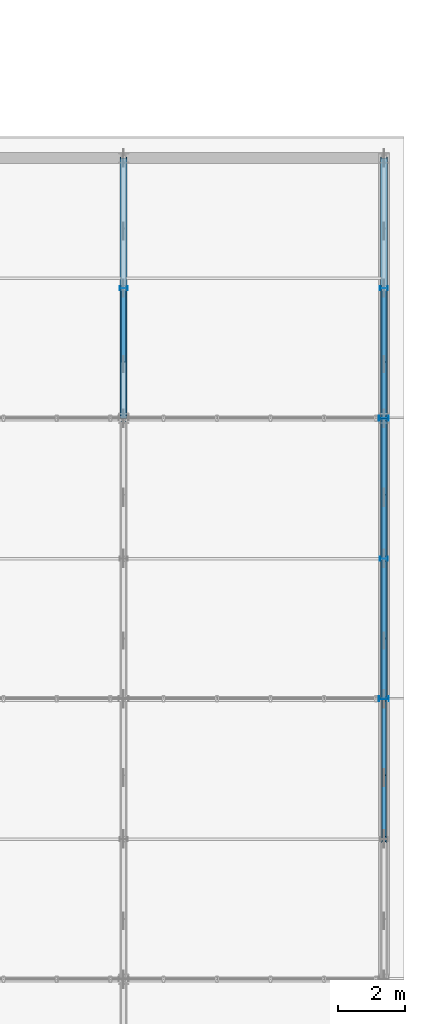
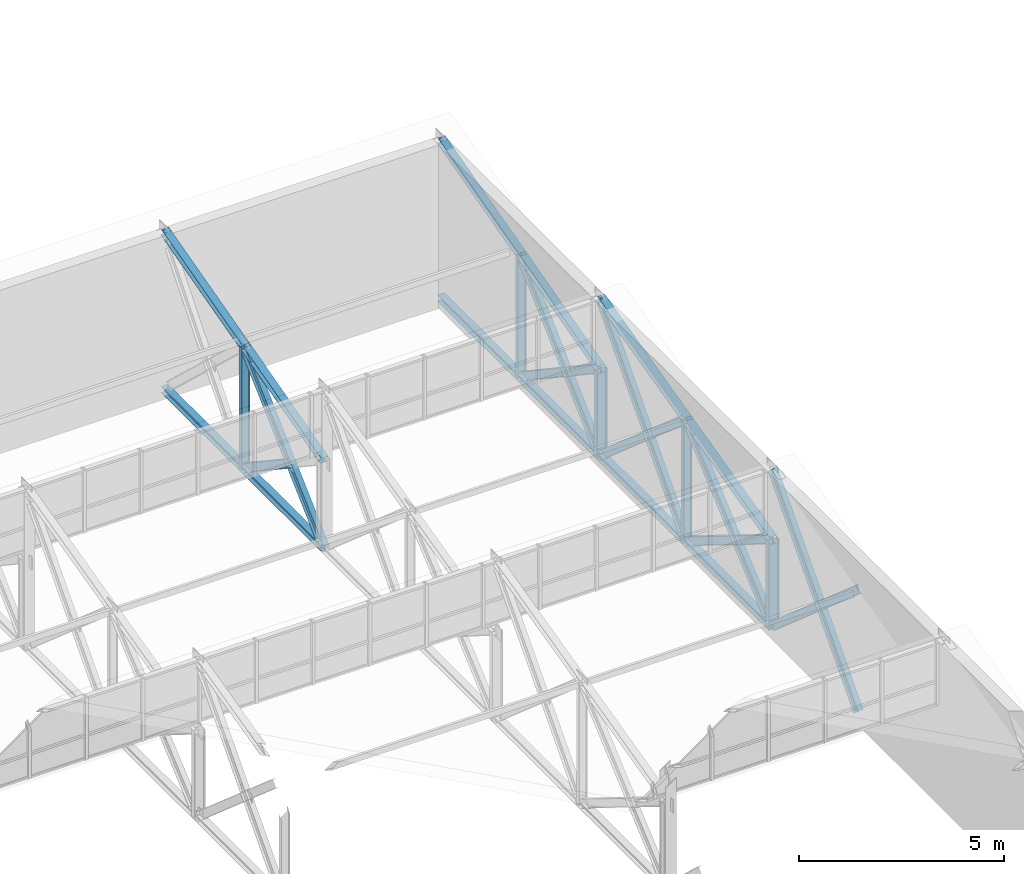
# One storey, part 82 of 123: 25 members.
"""IFC4 building model written with IfcOpenShell, lengths in metres."""

import ifcopenshell
import ifcopenshell.guid

model = None  # the IFC model being written
_history = None  # IfcOwnerHistory: only IFC2X3 demands one
_inside = {}  # id of a spatial element -> (the spatial element, [elements in it])
_under = {}  # id of a project, library or spatial element -> (it, [spatial elements below it])
_declared = {}  # id of a project -> (the project, [libraries it declares])
_typed = {}  # id of a type object -> (the type object, [elements of that type])
_made_of = {}  # id of a material, layer set ... -> (it, [elements and type objects made of it])


def new_model(schema):
    """Start an empty IFC model of exactly this schema.

    Asked for "IFC4X3", IfcOpenShell would pick the latest addendum, in which some entities
    have other attributes; the version numbers below select the first issue.
    IFC2X3 requires an IfcOwnerHistory on every rooted entity: one is made here for all.
    """
    global model, _history
    if schema == "IFC4X3":
        model = ifcopenshell.file(schema_version=(4, 3, 0, 0))
    else:
        model = ifcopenshell.file(schema=schema)
    _inside.clear()
    _under.clear()
    _declared.clear()
    _typed.clear()
    _made_of.clear()
    _history = None
    if model.schema == "IFC2X3":
        org = make("IfcOrganization", Name="unknown")
        user = make(
            "IfcPersonAndOrganization",
            ThePerson=make("IfcPerson", FamilyName="unknown"),
            TheOrganization=org,
        )
        app = make(
            "IfcApplication",
            ApplicationDeveloper=org,
            Version="unknown",
            ApplicationFullName="unknown",
            ApplicationIdentifier="unknown",
        )
        _history = make(
            "IfcOwnerHistory",
            OwningUser=user,
            OwningApplication=app,
            ChangeAction="ADDED",
            CreationDate=0,
        )
    return model


def make(cls, **values):
    """One entity of the class cls with the attributes given. An attribute that is None is left unset."""
    return model.create_entity(
        cls, **{name: value for name, value in values.items() if value is not None}
    )


def rooted(cls, **values):
    """An entity with a GlobalId (a new one), such as an element, a storey or a relation."""
    return make(cls, GlobalId=ifcopenshell.guid.new(), OwnerHistory=_history, **values)


def si_unit(unit_type, name, prefix=None):
    """IfcSIUnit, for example si_unit("LENGTHUNIT", "METRE", prefix="MILLI")."""
    return make("IfcSIUnit", UnitType=unit_type, Prefix=prefix, Name=name)


def assignment(units):
    """IfcUnitAssignment: the units of a project."""
    return None if units is None else make("IfcUnitAssignment", Units=units)


def point(xyz):
    """IfcCartesianPoint."""
    return None if xyz is None else make("IfcCartesianPoint", Coordinates=xyz)


def direction(xyz):
    """IfcDirection."""
    return None if xyz is None else make("IfcDirection", DirectionRatios=xyz)


def frame(location, z_axis=None, x_axis=None):
    """IfcAxis2Placement3D, a coordinate frame: its origin and axes. An axis left out is left unset."""
    return make(
        "IfcAxis2Placement3D",
        Location=point(location),
        Axis=direction(z_axis),
        RefDirection=direction(x_axis),
    )


def frame_2d(location, x_axis=None):
    """IfcAxis2Placement2D, a coordinate frame in the plane: its origin and x axis."""
    return make(
        "IfcAxis2Placement2D", Location=point(location), RefDirection=direction(x_axis)
    )


def origin():
    """The frame at (0, 0, 0) with its axes left unset."""
    return frame((0.0, 0.0, 0.0))


def origin_2d():
    """The frame at (0, 0) in the plane with its x axis left unset."""
    return frame_2d((0.0, 0.0))


def place(relative_to, where):
    """IfcLocalPlacement: puts the frame where relative to a parent placement (None: the world)."""
    return make(
        "IfcLocalPlacement", PlacementRelTo=relative_to, RelativePlacement=where
    )


def context(
    kind, dimensions, precision=None, world=None, true_north=None, identifier=None
):
    """IfcGeometricRepresentationContext, for example the 3D "Model" context."""
    return make(
        "IfcGeometricRepresentationContext",
        ContextIdentifier=identifier,
        ContextType=kind,
        CoordinateSpaceDimension=dimensions,
        Precision=precision,
        WorldCoordinateSystem=world,
        TrueNorth=true_north,
    )


def subcontext(parent, identifier, kind, view, scale=None):
    """IfcGeometricRepresentationSubContext, for example "Body" below "Model"."""
    return make(
        "IfcGeometricRepresentationSubContext",
        ContextIdentifier=identifier,
        ContextType=kind,
        ParentContext=parent,
        TargetScale=scale,
        TargetView=view,
    )


def project(units=None, contexts=None):
    """IfcProject with its units and contexts."""
    return rooted(
        "IfcProject",
        Name="project",
        RepresentationContexts=contexts,
        UnitsInContext=assignment(units),
    )


def spatial(cls, under=None, at=None, **own):
    """A site, building, storey or space (cls), placed at a placement, below another one or the project."""
    s = rooted(cls, ObjectPlacement=at, **own)
    if under is not None:
        _under.setdefault(under.id(), (under, []))[1].append(s)
    return s


def profile(cls, at=None, kind="AREA", **sizes):
    """A parametric profile (cls). Its sizes go by their IFC names, for example OverallWidth=200.0."""
    return make(cls, ProfileType=kind, Position=at, **sizes)


def i_section(**sizes):
    """IfcIShapeProfileDef."""
    return profile("IfcIShapeProfileDef", **sizes)


def extrude(swept, where, along, depth):
    """IfcExtrudedAreaSolid: the profile swept, set in the frame where, extruded along a direction by depth."""
    return make(
        "IfcExtrudedAreaSolid",
        SweptArea=swept,
        Position=where,
        ExtrudedDirection=direction(along),
        Depth=depth,
    )


def shape(context_of_items, identifier, shape_type, items):
    """IfcShapeRepresentation: the items that make up one representation, for example the "Body"."""
    return make(
        "IfcShapeRepresentation",
        ContextOfItems=context_of_items,
        RepresentationIdentifier=identifier,
        RepresentationType=shape_type,
        Items=items,
    )


def material(Name=None, Category=None):
    """IfcMaterial."""
    return make("IfcMaterial", Name=Name, Category=Category)


def material_profile(
    of_material, cross_section, Name=None, Category=None, Priority=None
):
    """IfcMaterialProfile: a cross section and its material."""
    return make(
        "IfcMaterialProfile",
        Name=Name,
        Material=of_material,
        Profile=cross_section,
        Priority=Priority,
        Category=Category,
    )


def profile_set(profiles, Name=None, composite=None):
    """IfcMaterialProfileSet."""
    return make(
        "IfcMaterialProfileSet",
        Name=Name,
        MaterialProfiles=profiles,
        CompositeProfile=composite,
    )


def made_of(thing, what):
    """Note that an element or type object is made of a material, layer set ...; save() writes the relation."""
    if what is not None:
        _made_of.setdefault(what.id(), (what, []))[1].append(thing)
    return thing


def type_object(cls, material=None, **own):
    """A type object (cls), such as IfcWallType, which elements share."""
    return made_of(rooted(cls, **own), material)


def element(
    cls,
    number,
    at=None,
    inside=None,
    cuts=None,
    type_object=None,
    material=None,
    context=None,
    identifier="Body",
    shape_type=None,
    held_by="IfcProductDefinitionShape",
    body=None,
    shapes=None,
    **own,
):
    """One element of the class cls, such as IfcWall. Its Tag is "e" and its number.

    at: its placement. inside: the storey or other place that contains it. cuts: it is an
    opening in that element (IfcRelVoidsElement). A single representation is given by context,
    identifier, shape_type and body (its items); several are given by shapes. held_by: the class
    of the entity that holds the representations. save() writes the other relations.
    """
    e = rooted(cls, Tag="e%d" % number, ObjectPlacement=at, **own)
    if body is not None:
        shapes = [shape(context, identifier, shape_type, body)]
    if shapes is not None:
        e.Representation = make(held_by, Representations=shapes)
    if inside is not None:
        _inside.setdefault(inside.id(), (inside, []))[1].append(e)
    if cuts is not None:
        rooted(
            "IfcRelVoidsElement", RelatingBuildingElement=cuts, RelatedOpeningElement=e
        )
    if type_object is not None:
        _typed.setdefault(type_object.id(), (type_object, []))[1].append(e)
    return made_of(e, material)


def aggregate(whole, parts):
    """IfcRelAggregates: a whole, such as a stair, and the parts it consists of."""
    return rooted("IfcRelAggregates", RelatingObject=whole, RelatedObjects=parts)


def save(model, path):
    """Write the relations noted so far, then the file.

    IfcRelAggregates (storeys below a building ...), IfcRelContainedInSpatialStructure (elements
    in a storey), IfcRelDefinesByType, IfcRelAssociatesMaterial and IfcRelDeclares: one each for
    every whole, place, type object, material and project.
    """
    for whole, parts in _under.values():
        aggregate(whole, parts)
    for where, things in _inside.values():
        rooted(
            "IfcRelContainedInSpatialStructure",
            RelatedElements=things,
            RelatingStructure=where,
        )
    for kind, things in _typed.values():
        rooted("IfcRelDefinesByType", RelatedObjects=things, RelatingType=kind)
    for what, things in _made_of.values():
        rooted("IfcRelAssociatesMaterial", RelatedObjects=things, RelatingMaterial=what)
    for by, libraries in _declared.values():
        rooted("IfcRelDeclares", RelatingContext=by, RelatedDefinitions=libraries)
    model.write(path)


model = new_model("IFC4")

# Units and contexts
model_context = context("Model", 3, precision=1e-05, world=origin(), true_north=direction((0.0, 1.0)))
body_context = subcontext(model_context, "Body", "Model", "MODEL_VIEW")
ifc_project = project(units=[si_unit("LENGTHUNIT", "METRE"), si_unit("AREAUNIT", "SQUARE_METRE"), si_unit("VOLUMEUNIT", "CUBIC_METRE"), si_unit("PLANEANGLEUNIT", "RADIAN"), si_unit("MASSUNIT", "GRAM", prefix="KILO")], contexts=[model_context])

# Site, building, storey
site_placement = place(None, origin())
site = spatial("IfcSite", under=ifc_project, at=site_placement, CompositionType="ELEMENT")
building_placement = place(site_placement, origin())
building = spatial("IfcBuilding", under=site, at=building_placement, Name="Zayran Congress Hotel", CompositionType="ELEMENT")
storey_placement = place(building_placement, frame((0.0, 0.0, 15.0)))
storey = spatial("IfcBuildingStorey", under=building, at=storey_placement, Name="L03", CompositionType="ELEMENT", Elevation=15.0)

# Members
ifc_material = material(Name="Steel S355", Category="steel")
ifc_material_profile_1 = material_profile(ifc_material, i_section(OverallWidth=0.199951171875, OverallDepth=0.199951171875, WebThickness=0.009033203125, FlangeThickness=0.014892578125, at=origin_2d()), Name="HEB 200")
ifc_profile_set_1 = profile_set([ifc_material_profile_1], Name="Steel S355")
member_type_1 = type_object("IfcMemberType", Name="TP-TR-CH2", PredefinedType="CHORD", material=ifc_profile_set_1)
member_1_placement = place(storey_placement, frame((176.39990234375, 34.0, 0.0), z_axis=(0.0, 1.0, 0.0), x_axis=(-1.0, 0.0, 0.0)))
element("IfcMember", 1, at=member_1_placement, inside=storey, type_object=member_type_1, Name="Sawtooth Truss Bottom Chord 730", PredefinedType="CHORD", context=body_context, shape_type="SweptSolid", body=[
    extrude(i_section(OverallWidth=0.199951171875, OverallDepth=0.199951171875, WebThickness=0.009033203125, FlangeThickness=0.014892578125, at=origin_2d()), origin(), (0.0, 0.0, 1.0), 7.800048828125),
])
member_2_placement = place(storey_placement, frame((176.39990234375, 34.0, 2.60009765625), z_axis=(0.0, 0.96579502769, 0.259306699663), x_axis=(-1.0, 0.0, 0.0)))
element("IfcMember", 2, at=member_2_placement, inside=storey, type_object=member_type_1, Name="Sawtooth Truss Top Chord 731", PredefinedType="CHORD", context=body_context, shape_type="SweptSolid", body=[
    extrude(i_section(OverallWidth=0.199951171875, OverallDepth=0.199951171875, WebThickness=0.009033203125, FlangeThickness=0.014892578125, at=origin_2d()), origin(), (0.0, 0.0, 1.0), 8.076416015625),
])
member_3_placement = place(storey_placement, frame((184.199951171875, 25.60009765625, 0.0), z_axis=(0.0, 1.0, 0.0), x_axis=(-1.0, 0.0, 0.0)))
element("IfcMember", 3, at=member_3_placement, inside=storey, type_object=member_type_1, Name="Sawtooth Truss Bottom Chord 742", PredefinedType="CHORD", context=body_context, shape_type="SweptSolid", body=[
    extrude(i_section(OverallWidth=0.199951171875, OverallDepth=0.199951171875, WebThickness=0.009033203125, FlangeThickness=0.014892578125, at=origin_2d()), origin(), (0.0, 0.0, 1.0), 8.39990234375),
])
member_4_placement = place(storey_placement, frame((184.199951171875, 25.60009765625, 2.60009765625), z_axis=(0.0, 0.970298236919, 0.241911825737), x_axis=(-1.0, 0.0, 0.0)))
element("IfcMember", 4, at=member_4_placement, inside=storey, type_object=member_type_1, Name="Sawtooth Truss Top Chord 743", PredefinedType="CHORD", context=body_context, shape_type="SweptSolid", body=[
    extrude(i_section(OverallWidth=0.199951171875, OverallDepth=0.199951171875, WebThickness=0.009033203125, FlangeThickness=0.014892578125, at=origin_2d()), origin(), (0.0, 0.0, 1.0), 8.656982421875),
])
member_5_placement = place(storey_placement, frame((184.199951171875, 34.0, 0.0), z_axis=(0.0, 1.0, 0.0), x_axis=(-1.0, 0.0, 0.0)))
element("IfcMember", 5, at=member_5_placement, inside=storey, type_object=member_type_1, Name="Sawtooth Truss Bottom Chord 746", PredefinedType="CHORD", context=body_context, shape_type="SweptSolid", body=[
    extrude(i_section(OverallWidth=0.199951171875, OverallDepth=0.199951171875, WebThickness=0.009033203125, FlangeThickness=0.014892578125, at=origin_2d()), origin(), (0.0, 0.0, 1.0), 7.800048828125),
])
member_6_placement = place(storey_placement, frame((184.199951171875, 34.0, 2.60009765625), z_axis=(0.0, 0.96579502769, 0.259306699663), x_axis=(-1.0, 0.0, 0.0)))
element("IfcMember", 6, at=member_6_placement, inside=storey, type_object=member_type_1, Name="Sawtooth Truss Top Chord 747", PredefinedType="CHORD", context=body_context, shape_type="SweptSolid", body=[
    extrude(i_section(OverallWidth=0.199951171875, OverallDepth=0.199951171875, WebThickness=0.009033203125, FlangeThickness=0.014892578125, at=origin_2d()), origin(), (0.0, 0.0, 1.0), 8.076416015625),
])
ifc_material_profile_2 = material_profile(ifc_material, i_section(OverallWidth=0.14990234375, OverallDepth=0.300048828125, WebThickness=0.007080078125, FlangeThickness=0.0107421875, at=origin_2d()), Name="IPE 300")
ifc_profile_set_2 = profile_set([ifc_material_profile_2], Name="Steel S355")
member_type_2 = type_object("IfcMemberType", Name="TP-TR-BR1", PredefinedType="BRACE", material=ifc_profile_set_2)
member_7_placement = place(storey_placement, frame((176.39990234375, 34.0, 0.0), z_axis=(0.0, 0.730372213416, 0.683049361225), x_axis=(-1.0, 0.0, 0.0)))
element("IfcMember", 7, at=member_7_placement, inside=storey, type_object=member_type_2, Name="Sawtooth Truss Diagonal 732", PredefinedType="BRACE", context=body_context, shape_type="SweptSolid", body=[
    extrude(i_section(OverallWidth=0.14990234375, OverallDepth=0.300048828125, WebThickness=0.007080078125, FlangeThickness=0.0107421875, at=origin_2d()), origin(), (0.0, 0.0, 1.0), 5.339599609375),
])
member_8_placement = place(storey_placement, frame((184.199951171875, 21.39990234375, 0.0), z_axis=(0.0, 0.66679485947, 0.745241313525), x_axis=(-1.0, 0.0, 0.0)))
element("IfcMember", 8, at=member_8_placement, inside=storey, type_object=member_type_2, Name="Sawtooth Truss Diagonal Bay2 182", PredefinedType="BRACE", context=body_context, shape_type="SweptSolid", body=[
    extrude(i_section(OverallWidth=0.14990234375, OverallDepth=0.300048828125, WebThickness=0.007080078125, FlangeThickness=0.0107421875, at=origin_2d()), origin(), (0.0, 0.0, 1.0), 6.299072265625),
])
member_9_placement = place(storey_placement, frame((184.199951171875, 25.60009765625, 0.0), z_axis=(0.0, 0.755042838954, 0.655675461904), x_axis=(-1.0, 0.0, 0.0)))
element("IfcMember", 9, at=member_9_placement, inside=storey, type_object=member_type_2, Name="Sawtooth Truss Diagonal 744", PredefinedType="BRACE", context=body_context, shape_type="SweptSolid", body=[
    extrude(i_section(OverallWidth=0.14990234375, OverallDepth=0.300048828125, WebThickness=0.007080078125, FlangeThickness=0.0107421875, at=origin_2d()), origin(), (0.0, 0.0, 1.0), 5.5625),
])
member_10_placement = place(storey_placement, frame((184.199951171875, 29.800048828125, 0.0), z_axis=(0.0, 0.666773332967, 0.745260573521), x_axis=(-1.0, 0.0, 0.0)))
element("IfcMember", 10, at=member_10_placement, inside=storey, type_object=member_type_2, Name="Sawtooth Truss Diagonal Bay2 186", PredefinedType="BRACE", context=body_context, shape_type="SweptSolid", body=[
    extrude(i_section(OverallWidth=0.14990234375, OverallDepth=0.300048828125, WebThickness=0.007080078125, FlangeThickness=0.0107421875, at=origin_2d()), origin(), (0.0, 0.0, 1.0), 6.298828125),
])
member_11_placement = place(storey_placement, frame((184.199951171875, 25.60009765625, 0.0), z_axis=(0.0, 0.0, 1.0), x_axis=(0.0, 1.0, 0.0)))
element("IfcMember", 11, at=member_11_placement, inside=storey, type_object=member_type_2, Name="TRV-01 Sawtooth Truss Strut", PredefinedType="BRACE", context=body_context, shape_type="SweptSolid", body=[
    extrude(i_section(OverallWidth=0.14990234375, OverallDepth=0.300048828125, WebThickness=0.007080078125, FlangeThickness=0.0107421875, at=origin_2d()), origin(), (0.0, 0.0, 1.0), 2.60009765625),
])
member_12_placement = place(storey_placement, frame((184.199951171875, 34.0, 0.0), z_axis=(0.0, 0.730372213416, 0.683049361225), x_axis=(-1.0, 0.0, 0.0)))
element("IfcMember", 12, at=member_12_placement, inside=storey, type_object=member_type_2, Name="Sawtooth Truss Diagonal 748", PredefinedType="BRACE", context=body_context, shape_type="SweptSolid", body=[
    extrude(i_section(OverallWidth=0.14990234375, OverallDepth=0.300048828125, WebThickness=0.007080078125, FlangeThickness=0.0107421875, at=origin_2d()), origin(), (0.0, 0.0, 1.0), 5.339599609375),
])
member_13_placement = place(storey_placement, frame((184.199951171875, 34.0, 0.0), z_axis=(0.0, 0.0, 1.0), x_axis=(0.0, 1.0, 0.0)))
element("IfcMember", 13, at=member_13_placement, inside=storey, type_object=member_type_2, Name="TRV-01 Sawtooth Truss Strut", PredefinedType="BRACE", context=body_context, shape_type="SweptSolid", body=[
    extrude(i_section(OverallWidth=0.14990234375, OverallDepth=0.300048828125, WebThickness=0.007080078125, FlangeThickness=0.0107421875, at=origin_2d()), origin(), (0.0, 0.0, 1.0), 2.60009765625),
])
ifc_material_profile_3 = material_profile(ifc_material, i_section(OverallWidth=0.1201171875, OverallDepth=0.239990234375, WebThickness=0.006103515625, FlangeThickness=0.009765625, at=origin_2d()), Name="IPE 240")
ifc_profile_set_3 = profile_set([ifc_material_profile_3], Name="Steel S355")
member_type_3 = type_object("IfcMemberType", Name="TP-TR-BR2", PredefinedType="BRACE", material=ifc_profile_set_3)
member_14_placement = place(storey_placement, frame((176.39990234375, 35.635498046875, 1.509521484375), z_axis=(0.0, 0.832064095683, -0.55467949365), x_axis=(-1.0, 0.0, 0.0)))
element("IfcMember", 14, at=member_14_placement, inside=storey, type_object=member_type_3, Name="Sawtooth Truss Counter Diagonal Lower 173", PredefinedType="BRACE", context=body_context, shape_type="SweptSolid", body=[
    extrude(i_section(OverallWidth=0.1201171875, OverallDepth=0.239990234375, WebThickness=0.006103515625, FlangeThickness=0.009765625, at=origin_2d()), origin(), (0.0, 0.0, 1.0), 2.721435546875),
])
member_15_placement = place(storey_placement, frame((176.39990234375, 37.89990234375, 0.0), z_axis=(0.0, 0.0, 1.0), x_axis=(0.0, 1.0, 0.0)))
element("IfcMember", 15, at=member_15_placement, inside=storey, type_object=member_type_3, Name="TRV-01 Sawtooth Truss Strut", PredefinedType="BRACE", context=body_context, shape_type="SweptSolid", body=[
    extrude(i_section(OverallWidth=0.1201171875, OverallDepth=0.239990234375, WebThickness=0.006103515625, FlangeThickness=0.009765625, at=origin_2d()), origin(), (0.0, 0.0, 1.0), 3.647216796875),
])
member_16_placement = place(storey_placement, frame((184.199951171875, 21.39990234375, 3.647216796875), z_axis=(0.0, 0.755098908139, -0.655610889878), x_axis=(-1.0, 0.0, 0.0)))
element("IfcMember", 16, at=member_16_placement, inside=storey, type_object=member_type_3, Name="Sawtooth Truss Counter Diagonal Bay2 Upper 183", PredefinedType="BRACE", context=body_context, shape_type="SweptSolid", body=[
    extrude(i_section(OverallWidth=0.1201171875, OverallDepth=0.239990234375, WebThickness=0.006103515625, FlangeThickness=0.009765625, at=origin_2d()), origin(), (0.0, 0.0, 1.0), 2.417236328125),
])
member_17_placement = place(storey_placement, frame((184.199951171875, 23.247802734375, 2.042724609375), z_axis=(0.0, 0.755042306738, -0.655676074777), x_axis=(-1.0, 0.0, 0.0)))
element("IfcMember", 17, at=member_17_placement, inside=storey, type_object=member_type_3, Name="Sawtooth Truss Counter Diagonal Bay2 Lower 184", PredefinedType="BRACE", context=body_context, shape_type="SweptSolid", body=[
    extrude(i_section(OverallWidth=0.1201171875, OverallDepth=0.239990234375, WebThickness=0.006103515625, FlangeThickness=0.009765625, at=origin_2d()), origin(), (0.0, 0.0, 1.0), 3.115478515625),
])
member_18_placement = place(storey_placement, frame((184.199951171875, 25.60009765625, 2.60009765625), z_axis=(0.0, 0.850242199596, -0.526391681191), x_axis=(-1.0, 0.0, 0.0)))
element("IfcMember", 18, at=member_18_placement, inside=storey, type_object=member_type_3, Name="Sawtooth Truss Counter Diagonal Upper 745", PredefinedType="BRACE", context=body_context, shape_type="SweptSolid", body=[
    extrude(i_section(OverallWidth=0.1201171875, OverallDepth=0.239990234375, WebThickness=0.006103515625, FlangeThickness=0.009765625, at=origin_2d()), origin(), (0.0, 0.0, 1.0), 2.040771484375),
])
member_19_placement = place(storey_placement, frame((184.199951171875, 27.360595703125, 1.510009765625), z_axis=(0.0, 0.850285094949, -0.526322389137), x_axis=(-1.0, 0.0, 0.0)))
element("IfcMember", 19, at=member_19_placement, inside=storey, type_object=member_type_3, Name="Sawtooth Truss Counter Diagonal Lower 185", PredefinedType="BRACE", context=body_context, shape_type="SweptSolid", body=[
    extrude(i_section(OverallWidth=0.1201171875, OverallDepth=0.239990234375, WebThickness=0.006103515625, FlangeThickness=0.009765625, at=origin_2d()), origin(), (0.0, 0.0, 1.0), 2.868896484375),
])
member_20_placement = place(storey_placement, frame((184.199951171875, 29.800048828125, 3.647216796875), z_axis=(0.0, 0.755055489466, -0.655660893929), x_axis=(-1.0, 0.0, 0.0)))
element("IfcMember", 20, at=member_20_placement, inside=storey, type_object=member_type_3, Name="Sawtooth Truss Counter Diagonal Bay2 Upper 187", PredefinedType="BRACE", context=body_context, shape_type="SweptSolid", body=[
    extrude(i_section(OverallWidth=0.1201171875, OverallDepth=0.239990234375, WebThickness=0.006103515625, FlangeThickness=0.009765625, at=origin_2d()), origin(), (0.0, 0.0, 1.0), 2.4169921875),
])
member_21_placement = place(storey_placement, frame((184.199951171875, 31.647705078125, 2.042724609375), z_axis=(0.0, 0.755042306738, -0.655676074777), x_axis=(-1.0, 0.0, 0.0)))
element("IfcMember", 21, at=member_21_placement, inside=storey, type_object=member_type_3, Name="Sawtooth Truss Counter Diagonal Bay2 Lower 188", PredefinedType="BRACE", context=body_context, shape_type="SweptSolid", body=[
    extrude(i_section(OverallWidth=0.1201171875, OverallDepth=0.239990234375, WebThickness=0.006103515625, FlangeThickness=0.009765625, at=origin_2d()), origin(), (0.0, 0.0, 1.0), 3.115478515625),
])
member_22_placement = place(storey_placement, frame((184.199951171875, 29.800048828125, 0.0), z_axis=(0.0, 0.0, 1.0), x_axis=(0.0, 1.0, 0.0)))
element("IfcMember", 22, at=member_22_placement, inside=storey, type_object=member_type_3, Name="TRV-01 Sawtooth Truss Strut", PredefinedType="BRACE", context=body_context, shape_type="SweptSolid", body=[
    extrude(i_section(OverallWidth=0.1201171875, OverallDepth=0.239990234375, WebThickness=0.006103515625, FlangeThickness=0.009765625, at=origin_2d()), origin(), (0.0, 0.0, 1.0), 3.647216796875),
])
member_23_placement = place(storey_placement, frame((184.199951171875, 34.0, 2.60009765625), z_axis=(0.0, 0.831992082034, -0.554787504755), x_axis=(-1.0, 0.0, 0.0)))
element("IfcMember", 23, at=member_23_placement, inside=storey, type_object=member_type_3, Name="Sawtooth Truss Counter Diagonal Upper 749", PredefinedType="BRACE", context=body_context, shape_type="SweptSolid", body=[
    extrude(i_section(OverallWidth=0.1201171875, OverallDepth=0.239990234375, WebThickness=0.006103515625, FlangeThickness=0.009765625, at=origin_2d()), origin(), (0.0, 0.0, 1.0), 1.935791015625),
])
member_24_placement = place(storey_placement, frame((184.199951171875, 35.635498046875, 1.509521484375), z_axis=(0.0, 0.832064095683, -0.55467949365), x_axis=(-1.0, 0.0, 0.0)))
element("IfcMember", 24, at=member_24_placement, inside=storey, type_object=member_type_3, Name="Sawtooth Truss Counter Diagonal Lower 189", PredefinedType="BRACE", context=body_context, shape_type="SweptSolid", body=[
    extrude(i_section(OverallWidth=0.1201171875, OverallDepth=0.239990234375, WebThickness=0.006103515625, FlangeThickness=0.009765625, at=origin_2d()), origin(), (0.0, 0.0, 1.0), 2.721435546875),
])
member_25_placement = place(storey_placement, frame((184.199951171875, 37.89990234375, 0.0), z_axis=(0.0, 0.0, 1.0), x_axis=(0.0, 1.0, 0.0)))
element("IfcMember", 25, at=member_25_placement, inside=storey, type_object=member_type_3, Name="TRV-01 Sawtooth Truss Strut", PredefinedType="BRACE", context=body_context, shape_type="SweptSolid", body=[
    extrude(i_section(OverallWidth=0.1201171875, OverallDepth=0.239990234375, WebThickness=0.006103515625, FlangeThickness=0.009765625, at=origin_2d()), origin(), (0.0, 0.0, 1.0), 3.647216796875),
])

save(model, "model.ifc")
